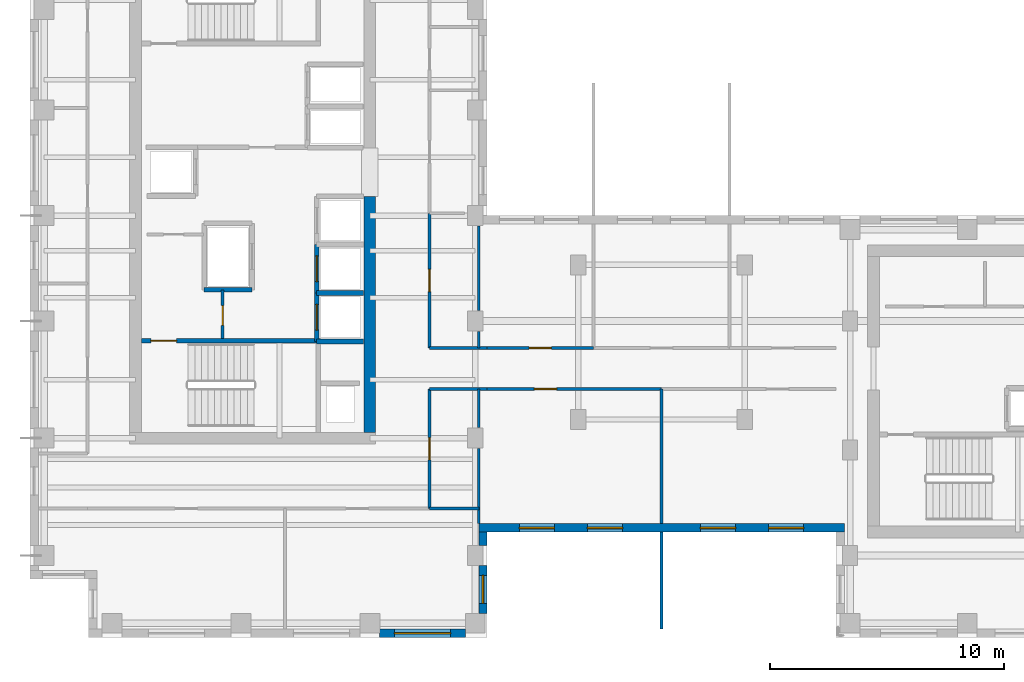
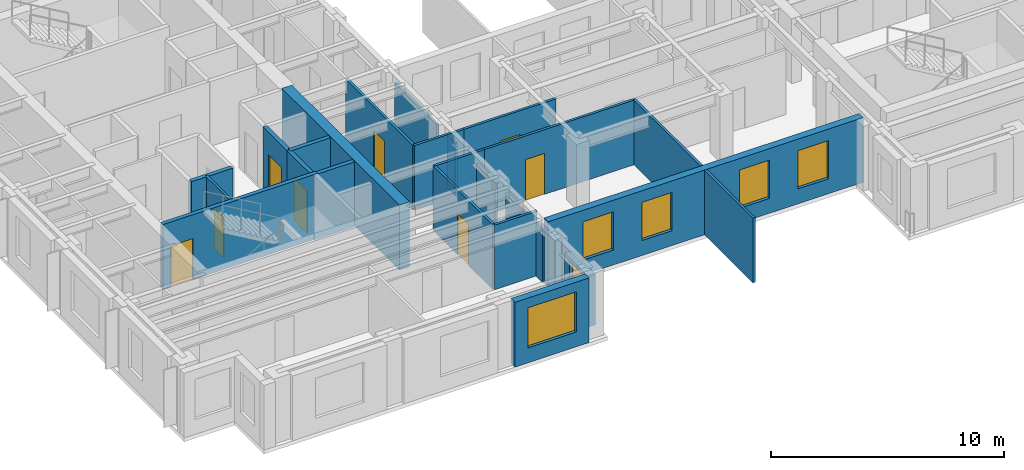
# One storey, part 3 of 10: 25 walls, 8 doors, 6 windows, 14 openings.
"""IFC4 building model written with IfcOpenShell, lengths in metres."""

from ifc_helpers import new_model, si_unit, direction, frame, frame_2d, origin, place, context, subcontext, project, spatial, rectangle, extrude, source, transform, mapped, material, layer, layer_set, type_object, element, fill, save


model = new_model("IFC4")

# Units and contexts
model_context = context("Model", 3, precision=1e-05, world=origin(), true_north=direction((0.0, 1.0)))
body_context = subcontext(model_context, "Body", "Model", "MODEL_VIEW")
ifc_project = project(units=[si_unit("LENGTHUNIT", "METRE"), si_unit("AREAUNIT", "SQUARE_METRE"), si_unit("VOLUMEUNIT", "CUBIC_METRE"), si_unit("PLANEANGLEUNIT", "RADIAN"), si_unit("MASSUNIT", "GRAM", prefix="KILO")], contexts=[model_context])

# Site, building, storey
site_placement = place(None, origin())
site = spatial("IfcSite", under=ifc_project, at=site_placement, CompositionType="ELEMENT")
building_placement = place(site_placement, origin())
building = spatial("IfcBuilding", under=site, at=building_placement, Name="Kharzan Plaza Tower", CompositionType="ELEMENT")
storey_placement = place(building_placement, frame((0.0, 0.0, 216.0)))
storey = spatial("IfcBuildingStorey", under=building, at=storey_placement, Name="L58", CompositionType="ELEMENT", Elevation=216.0)

# Wall, opening, window
ifc_material_1 = material(Name="Concrete C40/50", Category="concrete")
ifc_layer_1 = layer(ifc_material_1, 0.35009765625)
ifc_layer_set_1 = layer_set([ifc_layer_1], Name="Concrete C40/50")
wall_type_1 = type_object("IfcWallType", Name="WL-EXT-MAS-Z4", PredefinedType="SOLIDWALL", material=ifc_layer_set_1)
wall_1_placement = place(storey_placement, frame((14.923095703125, 0.175048828125, 0.0), z_axis=(0.0, 0.0, 1.0), x_axis=(1.0, 0.0, 0.0)))
wall_1 = element("IfcWall", 1, at=wall_1_placement, inside=storey, type_object=wall_type_1, Name="L58 Masonry-Frame Exterior Wall 23", PredefinedType="SOLIDWALL", context=body_context, shape_type="SweptSolid", body=[
    extrude(rectangle(XDim=3.65380859375, YDim=0.35009765625, at=frame_2d((1.826904296875, 0.0))), origin(), (0.0, 0.0, 1.0), 3.385009765625),
])
opening_1_placement = place(wall_1_placement, frame((0.626953125, 0.0, 0.780029296875)))
opening_1 = element("IfcOpeningElement", 2, at=opening_1_placement, cuts=wall_1, Name="Opening W2", PredefinedType="OPENING", context=body_context, shape_type="SweptSolid", body=[
    extrude(rectangle(XDim=2.39990234375, YDim=2.10009765625, at=frame_2d((1.199951171875, 1.050048828125))), frame((0.0, 0.18505859375, 0.0), z_axis=(0.0, -1.0, 0.0), x_axis=(1.0, 0.0, 0.0)), (0.0, 0.0, 1.0), 0.3701171875),
])
ifc_material_2 = material(Name="Low-E Double Glazing", Category="glass")
window_type_1 = type_object("IfcWindowType", Name="WN-REC-2400x2100", PartitioningType="SINGLE_PANEL", PredefinedType="WINDOW", material=ifc_material_2)
shared_shape_1 = source(origin(), body_context, "Body", "SweptSolid", [
    extrude(rectangle(XDim=2.39990234375, YDim=2.10009765625, at=frame_2d((1.199951171875, 1.050048828125))), frame((0.0, 0.030029296875, 0.0), z_axis=(0.0, -1.0, 0.0), x_axis=(1.0, 0.0, 0.0)), (0.0, 0.0, 1.0), 0.06005859375),
])
window_1_placement = place(opening_1_placement, origin())
window_1 = element("IfcWindow", 3, at=window_1_placement, inside=storey, type_object=window_type_1, Name="L58 Wide Recessed Solar-Control Window 23-1", OverallHeight=2.10009765625, OverallWidth=2.39990234375, PartitioningType="SINGLE_PANEL", PredefinedType="WINDOW", context=body_context, shape_type="MappedRepresentation", body=[
    mapped(shared_shape_1, transform((0.0, 0.0, 0.0), x_axis=(1.0, 0.0, 0.0), y_axis=(0.0, 1.0, 0.0), z_axis=(0.0, 0.0, 1.0))),
])
fill(opening_1, window_1)

wall_2_placement = place(storey_placement, frame((19.324951171875, 1.02294921875, 0.0), z_axis=(0.0, 0.0, 1.0), x_axis=(0.0, 1.0, 0.0)))
wall_2 = element("IfcWall", 4, at=wall_2_placement, inside=storey, type_object=wall_type_1, Name="L58 Masonry-Frame Exterior Wall 24", PredefinedType="SOLIDWALL", context=body_context, shape_type="SweptSolid", body=[
    extrude(rectangle(XDim=2.053955078125, YDim=0.35009765625, at=frame_2d((1.02685546875, 0.0))), origin(), (0.0, 0.0, 1.0), 2.618896484375),
])
opening_2_placement = place(wall_2_placement, frame((0.427001953125, 0.0, 0.780029296875)))
opening_2 = element("IfcOpeningElement", 5, at=opening_2_placement, cuts=wall_2, Name="Opening W3", PredefinedType="OPENING", context=body_context, shape_type="SweptSolid", body=[
    extrude(rectangle(XDim=1.199951171875, YDim=1.658935546875, at=frame_2d((0.60009765625, 0.82958984375))), frame((0.0, 0.18505859375, 0.0), z_axis=(0.0, -1.0, 0.0), x_axis=(1.0, 0.0, 0.0)), (0.0, 0.0, 1.0), 0.3701171875),
])
window_type_2 = type_object("IfcWindowType", Name="WN-REC-1200x2100", PartitioningType="SINGLE_PANEL", PredefinedType="WINDOW", material=ifc_material_2)
shared_shape_2 = source(origin(), body_context, "Body", "SweptSolid", [
    extrude(rectangle(XDim=1.199951171875, YDim=1.658935546875, at=frame_2d((0.60009765625, 0.82958984375))), frame((0.0, 0.030029296875, 0.0), z_axis=(0.0, -1.0, 0.0), x_axis=(1.0, 0.0, 0.0)), (0.0, 0.0, 1.0), 0.06005859375),
])
window_2_placement = place(opening_2_placement, origin())
window_2 = element("IfcWindow", 6, at=window_2_placement, inside=storey, type_object=window_type_2, Name="L58 Recessed Solar-Control Window 24-1", OverallHeight=1.658935546875, OverallWidth=1.199951171875, PartitioningType="SINGLE_PANEL", PredefinedType="WINDOW", context=body_context, shape_type="MappedRepresentation", body=[
    mapped(shared_shape_2, transform((0.0, 0.0, 0.0), x_axis=(1.0, 0.0, 0.0), y_axis=(0.0, 1.0, 0.0), z_axis=(0.0, 0.0, 1.0))),
])
fill(opening_2, window_2)

# Wall, openings, windows
wall_3_placement = place(storey_placement, frame((19.14990234375, 4.675048828125, 0.0), z_axis=(0.0, 0.0, 1.0), x_axis=(1.0, 0.0, 0.0)))
wall_3 = element("IfcWall", 7, at=wall_3_placement, inside=storey, type_object=wall_type_1, Name="L58 Masonry-Frame Exterior Wall 26", PredefinedType="SOLIDWALL", context=body_context, shape_type="SweptSolid", body=[
    extrude(rectangle(XDim=15.60009765625, YDim=0.35009765625, at=frame_2d((7.800048828125, 0.0))), origin(), (0.0, 0.0, 1.0), 3.385009765625),
])
opening_3_placement = place(wall_3_placement, frame((1.72998046875, 0.0, 0.780029296875)))
opening_3 = element("IfcOpeningElement", 8, at=opening_3_placement, cuts=wall_3, Name="Opening W5", PredefinedType="OPENING", context=body_context, shape_type="SweptSolid", body=[
    extrude(rectangle(XDim=1.5, YDim=2.0, at=frame_2d((0.75, 1.0))), frame((0.0, 0.18505859375, 0.0), z_axis=(0.0, -1.0, 0.0), x_axis=(1.0, 0.0, 0.0)), (0.0, 0.0, 1.0), 0.3701171875),
])
opening_4_placement = place(wall_3_placement, frame((4.639892578125, 0.0, 0.780029296875)))
opening_4 = element("IfcOpeningElement", 9, at=opening_4_placement, cuts=wall_3, Name="Opening W5", PredefinedType="OPENING", context=body_context, shape_type="SweptSolid", body=[
    extrude(rectangle(XDim=1.5, YDim=2.0, at=frame_2d((0.75, 1.0))), frame((0.0, 0.18505859375, 0.0), z_axis=(0.0, -1.0, 0.0), x_axis=(1.0, 0.0, 0.0)), (0.0, 0.0, 1.0), 0.3701171875),
])
opening_5_placement = place(wall_3_placement, frame((9.4599609375, 0.0, 0.780029296875)))
opening_5 = element("IfcOpeningElement", 10, at=opening_5_placement, cuts=wall_3, Name="Opening W5", PredefinedType="OPENING", context=body_context, shape_type="SweptSolid", body=[
    extrude(rectangle(XDim=1.5, YDim=2.0, at=frame_2d((0.75, 1.0))), frame((0.0, 0.18505859375, 0.0), z_axis=(0.0, -1.0, 0.0), x_axis=(1.0, 0.0, 0.0)), (0.0, 0.0, 1.0), 0.3701171875),
])
opening_6_placement = place(wall_3_placement, frame((12.3701171875, 0.0, 0.780029296875)))
opening_6 = element("IfcOpeningElement", 11, at=opening_6_placement, cuts=wall_3, Name="Opening W5", PredefinedType="OPENING", context=body_context, shape_type="SweptSolid", body=[
    extrude(rectangle(XDim=1.5, YDim=2.0, at=frame_2d((0.75, 1.0))), frame((0.0, 0.18505859375, 0.0), z_axis=(0.0, -1.0, 0.0), x_axis=(1.0, 0.0, 0.0)), (0.0, 0.0, 1.0), 0.3701171875),
])
window_type_3 = type_object("IfcWindowType", Name="WN-SLT-1500x2000", PartitioningType="SINGLE_PANEL", PredefinedType="WINDOW", material=ifc_material_2)
shared_shape_3 = source(origin(), body_context, "Body", "SweptSolid", [
    extrude(rectangle(XDim=1.5, YDim=2.0, at=frame_2d((0.75, 1.0))), frame((0.0, 0.030029296875, 0.0), z_axis=(0.0, -1.0, 0.0), x_axis=(1.0, 0.0, 0.0)), (0.0, 0.0, 1.0), 0.06005859375),
])
window_3_placement = place(opening_3_placement, origin())
window_3 = element("IfcWindow", 12, at=window_3_placement, inside=storey, type_object=window_type_3, Name="L58 Recessed Solar-Control Window 26-1", OverallHeight=2.0, OverallWidth=1.5, PartitioningType="SINGLE_PANEL", PredefinedType="WINDOW", context=body_context, shape_type="MappedRepresentation", body=[
    mapped(shared_shape_3, transform((0.0, 0.0, 0.0), x_axis=(1.0, 0.0, 0.0), y_axis=(0.0, 1.0, 0.0), z_axis=(0.0, 0.0, 1.0))),
])
fill(opening_3, window_3)
window_4_placement = place(opening_4_placement, origin())
window_4 = element("IfcWindow", 13, at=window_4_placement, inside=storey, type_object=window_type_3, Name="L58 Recessed Solar-Control Window 26-2", OverallHeight=2.0, OverallWidth=1.5, PartitioningType="SINGLE_PANEL", PredefinedType="WINDOW", context=body_context, shape_type="MappedRepresentation", body=[
    mapped(shared_shape_3, transform((0.0, 0.0, 0.0), x_axis=(1.0, 0.0, 0.0), y_axis=(0.0, 1.0, 0.0), z_axis=(0.0, 0.0, 1.0))),
])
fill(opening_4, window_4)
window_5_placement = place(opening_5_placement, origin())
window_5 = element("IfcWindow", 14, at=window_5_placement, inside=storey, type_object=window_type_3, Name="L58 Recessed Solar-Control Window 26-3", OverallHeight=2.0, OverallWidth=1.5, PartitioningType="SINGLE_PANEL", PredefinedType="WINDOW", context=body_context, shape_type="MappedRepresentation", body=[
    mapped(shared_shape_3, transform((0.0, 0.0, 0.0), x_axis=(1.0, 0.0, 0.0), y_axis=(0.0, 1.0, 0.0), z_axis=(0.0, 0.0, 1.0))),
])
fill(opening_5, window_5)
window_6_placement = place(opening_6_placement, origin())
window_6 = element("IfcWindow", 15, at=window_6_placement, inside=storey, type_object=window_type_3, Name="L58 Recessed Solar-Control Window 26-4", OverallHeight=2.0, OverallWidth=1.5, PartitioningType="SINGLE_PANEL", PredefinedType="WINDOW", context=body_context, shape_type="MappedRepresentation", body=[
    mapped(shared_shape_3, transform((0.0, 0.0, 0.0), x_axis=(1.0, 0.0, 0.0), y_axis=(0.0, 1.0, 0.0), z_axis=(0.0, 0.0, 1.0))),
])
fill(opening_6, window_6)

# Wall, opening, door
ifc_material_3 = material(Name="Fire-Rated Gypsum Board Partition", Category="gypsum")
ifc_layer_2 = layer(ifc_material_3, 0.125)
ifc_layer_set_2 = layer_set([ifc_layer_2], Name="Fire-Rated Gypsum Board Partition")
wall_type_2 = type_object("IfcWallType", Name="WL-INT-PART-125", PredefinedType="PARTITIONING", material=ifc_layer_set_2)
wall_4_placement = place(storey_placement, frame((8.219970703125, 12.75, 0.0), z_axis=(0.0, 0.0, 1.0), x_axis=(0.0, 1.0, 0.0)))
wall_4 = element("IfcWall", 16, at=wall_4_placement, inside=storey, type_object=wall_type_2, Name="L58 Interior Partition CA-K1E", PredefinedType="PARTITIONING", context=body_context, shape_type="SweptSolid", body=[
    extrude(rectangle(XDim=2.070068359375, YDim=0.125, at=frame_2d((1.03515625, 0.0))), origin(), (0.0, 0.0, 1.0), 3.385009765625),
])
opening_7_placement = place(wall_4_placement, frame((0.56005859375, 0.0, 0.0)))
opening_7 = element("IfcOpeningElement", 17, at=opening_7_placement, cuts=wall_4, Name="Opening RD1", PredefinedType="OPENING", context=body_context, shape_type="SweptSolid", body=[
    extrude(rectangle(XDim=0.85009765625, YDim=2.10009765625, at=frame_2d((0.425048828125, 1.050048828125))), frame((0.0, 0.072509765625, 0.0), z_axis=(0.0, -1.0, 0.0), x_axis=(1.0, 0.0, 0.0)), (0.0, 0.0, 1.0), 0.14501953125),
])
ifc_material_4 = material(Name="Powder-Coated Fire-Rated Steel", Category="steel")
door_type_1 = type_object("IfcDoorType", Name="DR-RISER-900", OperationType="NOTDEFINED", PredefinedType="DOOR", material=ifc_material_4)
shared_shape_4 = source(origin(), body_context, "Body", "SweptSolid", [
    extrude(rectangle(XDim=0.85009765625, YDim=2.10009765625, at=frame_2d((0.425048828125, 1.050048828125))), frame((0.0, 0.02490234375, 0.0), z_axis=(0.0, -1.0, 0.0), x_axis=(1.0, 0.0, 0.0)), (0.0, 0.0, 1.0), 0.050048828125),
])
door_1_placement = place(opening_7_placement, origin())
door_1 = element("IfcDoor", 18, at=door_1_placement, inside=storey, type_object=door_type_1, Name="L58 Core Service Store Door", OperationType="SINGLE_SWING_RIGHT", OverallHeight=2.10009765625, OverallWidth=0.85009765625, PredefinedType="DOOR", context=body_context, shape_type="MappedRepresentation", body=[
    mapped(shared_shape_4, transform((0.0, 0.0, 0.0), x_axis=(1.0, 0.0, 0.0), y_axis=(0.0, 1.0, 0.0), z_axis=(0.0, 0.0, 1.0))),
])
fill(opening_7, door_1)

wall_5_placement = place(storey_placement, frame((17.050048828125, 12.35009765625, 0.0), z_axis=(0.0, 0.0, 1.0), x_axis=(0.0, 1.0, 0.0)))
wall_5 = element("IfcWall", 19, at=wall_5_placement, inside=storey, type_object=wall_type_2, Name="L58 Interior Partition SH-AEWN1", PredefinedType="PARTITIONING", context=body_context, shape_type="SweptSolid", body=[
    extrude(rectangle(XDim=5.75, YDim=0.125, at=frame_2d((2.875, 0.0))), origin(), (0.0, 0.0, 1.0), 3.385009765625),
])
opening_8_placement = place(wall_5_placement, frame((2.39990234375, 0.0, 0.0)))
opening_8 = element("IfcOpeningElement", 20, at=opening_8_placement, cuts=wall_5, Name="Opening OD1", PredefinedType="OPENING", context=body_context, shape_type="SweptSolid", body=[
    extrude(rectangle(XDim=0.949951171875, YDim=2.14990234375, at=frame_2d((0.47509765625, 1.074951171875))), frame((0.0, 0.072509765625, 0.0), z_axis=(0.0, -1.0, 0.0), x_axis=(1.0, 0.0, 0.0)), (0.0, 0.0, 1.0), 0.14501953125),
])
ifc_material_5 = material(Name="Acoustic Solid-Core Stained Oak", Category="timber")
door_type_2 = type_object("IfcDoorType", Name="DR-OFF-SINGLE", OperationType="NOTDEFINED", PredefinedType="DOOR", material=ifc_material_5)
shared_shape_5 = source(origin(), body_context, "Body", "SweptSolid", [
    extrude(rectangle(XDim=0.949951171875, YDim=2.14990234375, at=frame_2d((0.47509765625, 1.074951171875))), frame((0.0, 0.02490234375, 0.0), z_axis=(0.0, -1.0, 0.0), x_axis=(1.0, 0.0, 0.0)), (0.0, 0.0, 1.0), 0.050048828125),
])
door_2_placement = place(opening_8_placement, origin())
door_2 = element("IfcDoor", 21, at=door_2_placement, inside=storey, type_object=door_type_2, Name="L58 Slot Collaboration Door", OperationType="SINGLE_SWING_LEFT", OverallHeight=2.14990234375, OverallWidth=0.949951171875, PredefinedType="DOOR", context=body_context, shape_type="MappedRepresentation", body=[
    mapped(shared_shape_5, transform((0.0, 0.0, 0.0), x_axis=(1.0, 0.0, 0.0), y_axis=(0.0, 1.0, 0.0), z_axis=(0.0, 0.0, 1.0))),
])
fill(opening_8, door_2)

wall_6_placement = place(storey_placement, frame((17.050048828125, 5.5, 0.0), z_axis=(0.0, 0.0, 1.0), x_axis=(0.0, 1.0, 0.0)))
wall_6 = element("IfcWall", 22, at=wall_6_placement, inside=storey, type_object=wall_type_2, Name="L58 Interior Partition SH-AEWS", PredefinedType="PARTITIONING", context=body_context, shape_type="SweptSolid", body=[
    extrude(rectangle(XDim=5.10009765625, YDim=0.125, at=frame_2d((2.550048828125, 0.0))), origin(), (0.0, 0.0, 1.0), 3.385009765625),
])
opening_9_placement = place(wall_6_placement, frame((2.074951171875, 0.0, 0.0)))
opening_9 = element("IfcOpeningElement", 23, at=opening_9_placement, cuts=wall_6, Name="Opening OD1", PredefinedType="OPENING", context=body_context, shape_type="SweptSolid", body=[
    extrude(rectangle(XDim=0.949951171875, YDim=2.14990234375, at=frame_2d((0.47509765625, 1.074951171875))), frame((0.0, 0.072509765625, 0.0), z_axis=(0.0, -1.0, 0.0), x_axis=(1.0, 0.0, 0.0)), (0.0, 0.0, 1.0), 0.14501953125),
])
door_3_placement = place(opening_9_placement, origin())
door_3 = element("IfcDoor", 24, at=door_3_placement, inside=storey, type_object=door_type_2, Name="L58 Slot South Office Door", OperationType="SINGLE_SWING_RIGHT", OverallHeight=2.14990234375, OverallWidth=0.949951171875, PredefinedType="DOOR", context=body_context, shape_type="MappedRepresentation", body=[
    mapped(shared_shape_5, transform((0.0, 0.0, 0.0), x_axis=(1.0, 0.0, 0.0), y_axis=(0.0, 1.0, 0.0), z_axis=(0.0, 0.0, 1.0))),
])
fill(opening_9, door_3)

wall_7_placement = place(storey_placement, frame((19.5, 12.35009765625, 0.0), z_axis=(0.0, 0.0, 1.0), x_axis=(1.0, 0.0, 0.0)))
wall_7 = element("IfcWall", 25, at=wall_7_placement, inside=storey, type_object=wall_type_2, Name="L58 Interior Partition SH-SPNW1", PredefinedType="PARTITIONING", context=body_context, shape_type="SweptSolid", body=[
    extrude(rectangle(XDim=4.550048828125, YDim=0.125, at=frame_2d((2.27490234375, 0.0))), origin(), (0.0, 0.0, 1.0), 3.385009765625),
])
opening_10_placement = place(wall_7_placement, frame((1.800048828125, 0.0, 0.0)))
opening_10 = element("IfcOpeningElement", 26, at=opening_10_placement, cuts=wall_7, Name="Opening OD1", PredefinedType="OPENING", context=body_context, shape_type="SweptSolid", body=[
    extrude(rectangle(XDim=0.949951171875, YDim=2.14990234375, at=frame_2d((0.47509765625, 1.074951171875))), frame((0.0, 0.072509765625, 0.0), z_axis=(0.0, -1.0, 0.0), x_axis=(1.0, 0.0, 0.0)), (0.0, 0.0, 1.0), 0.14501953125),
])
door_4_placement = place(opening_10_placement, origin())
door_4 = element("IfcDoor", 27, at=door_4_placement, inside=storey, type_object=door_type_2, Name="L58 North-West Spine Door", OperationType="SINGLE_SWING_LEFT", OverallHeight=2.14990234375, OverallWidth=0.949951171875, PredefinedType="DOOR", context=body_context, shape_type="MappedRepresentation", body=[
    mapped(shared_shape_5, transform((0.0, 0.0, 0.0), x_axis=(1.0, 0.0, 0.0), y_axis=(0.0, 1.0, 0.0), z_axis=(0.0, 0.0, 1.0))),
])
fill(opening_10, door_4)

wall_8_placement = place(storey_placement, frame((19.5, 10.60009765625, 0.0), z_axis=(0.0, 0.0, 1.0), x_axis=(1.0, 0.0, 0.0)))
wall_8 = element("IfcWall", 28, at=wall_8_placement, inside=storey, type_object=wall_type_2, Name="L58 Interior Partition SH-SPS1", PredefinedType="PARTITIONING", context=body_context, shape_type="SweptSolid", body=[
    extrude(rectangle(XDim=7.449951171875, YDim=0.125, at=frame_2d((3.72509765625, 0.0))), origin(), (0.0, 0.0, 1.0), 3.385009765625),
])
opening_11_placement = place(wall_8_placement, frame((2.02197265625, 0.0, 0.0)))
opening_11 = element("IfcOpeningElement", 29, at=opening_11_placement, cuts=wall_8, Name="Opening OD1", PredefinedType="OPENING", context=body_context, shape_type="SweptSolid", body=[
    extrude(rectangle(XDim=0.949951171875, YDim=2.14990234375, at=frame_2d((0.47509765625, 1.074951171875))), frame((0.0, 0.072509765625, 0.0), z_axis=(0.0, -1.0, 0.0), x_axis=(1.0, 0.0, 0.0)), (0.0, 0.0, 1.0), 0.14501953125),
])
door_5_placement = place(opening_11_placement, origin())
door_5 = element("IfcDoor", 30, at=door_5_placement, inside=storey, type_object=door_type_2, Name="L58 South Spine West Door", OperationType="SINGLE_SWING_LEFT", OverallHeight=2.14990234375, OverallWidth=0.949951171875, PredefinedType="DOOR", context=body_context, shape_type="MappedRepresentation", body=[
    mapped(shared_shape_5, transform((0.0, 0.0, 0.0), x_axis=(1.0, 0.0, 0.0), y_axis=(0.0, 1.0, 0.0), z_axis=(0.0, 0.0, 1.0))),
])
fill(opening_11, door_5)

ifc_layer_3 = layer(ifc_material_1, 0.199951171875)
ifc_layer_set_3 = layer_set([ifc_layer_3], Name="Concrete C40/50")
wall_type_3 = type_object("IfcWallType", Name="WL-INT-SHAFT-200", PredefinedType="PARTITIONING", material=ifc_layer_set_3)
wall_9_placement = place(storey_placement, frame((12.22998046875, 12.6298828125, 0.0), z_axis=(0.0, 0.0, 1.0), x_axis=(0.0, 1.0, 0.0)))
wall_9 = element("IfcWall", 31, at=wall_9_placement, inside=storey, type_object=wall_type_3, Name="L58 Interior Partition SHF-PL-H1-W", PredefinedType="PARTITIONING", context=body_context, shape_type="SweptSolid", body=[
    extrude(rectangle(XDim=2.070068359375, YDim=0.199951171875, at=frame_2d((1.03515625, 0.0))), origin(), (0.0, 0.0, 1.0), 3.385009765625),
])
opening_12_placement = place(wall_9_placement, frame((0.485107421875, 0.0, 0.0)))
opening_12 = element("IfcOpeningElement", 32, at=opening_12_placement, cuts=wall_9, Name="Opening LD", PredefinedType="OPENING", context=body_context, shape_type="SweptSolid", body=[
    extrude(rectangle(XDim=1.10009765625, YDim=2.199951171875, at=frame_2d((0.550048828125, 1.10009765625))), frame((0.0, 0.10986328125, 0.0), z_axis=(0.0, -1.0, 0.0), x_axis=(1.0, 0.0, 0.0)), (0.0, 0.0, 1.0), 0.219970703125),
])
ifc_material_6 = material(Name="Brushed Stainless Steel", Category="steel")
door_type_3 = type_object("IfcDoorType", Name="DR-LIFT-SLIDE", OperationType="SLIDING_TO_LEFT", PredefinedType="DOOR", material=ifc_material_6)
shared_shape_6 = source(origin(), body_context, "Body", "SweptSolid", [
    extrude(rectangle(XDim=1.10009765625, YDim=2.199951171875, at=frame_2d((0.550048828125, 1.10009765625))), frame((0.0, 0.02490234375, 0.0), z_axis=(0.0, -1.0, 0.0), x_axis=(1.0, 0.0, 0.0)), (0.0, 0.0, 1.0), 0.050048828125),
])
door_6_placement = place(opening_12_placement, origin())
door_6 = element("IfcDoor", 33, at=door_6_placement, inside=storey, type_object=door_type_3, Name="L58 High-Rise Passenger Lift PL-H1 Sliding Landing Door", OperationType="SLIDING_TO_LEFT", OverallHeight=2.199951171875, OverallWidth=1.10009765625, PredefinedType="DOOR", context=body_context, shape_type="MappedRepresentation", body=[
    mapped(shared_shape_6, transform((0.0, 0.0, 0.0), x_axis=(1.0, 0.0, 0.0), y_axis=(0.0, 1.0, 0.0), z_axis=(0.0, 0.0, 1.0))),
])
fill(opening_12, door_6)

wall_10_placement = place(storey_placement, frame((12.22998046875, 14.699951171875, 0.0), z_axis=(0.0, 0.0, 1.0), x_axis=(0.0, 1.0, 0.0)))
wall_10 = element("IfcWall", 34, at=wall_10_placement, inside=storey, type_object=wall_type_3, Name="L58 Interior Partition SHF-PL-H2-W", PredefinedType="PARTITIONING", context=body_context, shape_type="SweptSolid", body=[
    extrude(rectangle(XDim=2.070068359375, YDim=0.199951171875, at=frame_2d((1.03515625, 0.0))), origin(), (0.0, 0.0, 1.0), 3.385009765625),
])
opening_13_placement = place(wall_10_placement, frame((0.485107421875, 0.0, 0.0)))
opening_13 = element("IfcOpeningElement", 35, at=opening_13_placement, cuts=wall_10, Name="Opening LD", PredefinedType="OPENING", context=body_context, shape_type="SweptSolid", body=[
    extrude(rectangle(XDim=1.10009765625, YDim=2.199951171875, at=frame_2d((0.550048828125, 1.10009765625))), frame((0.0, 0.10986328125, 0.0), z_axis=(0.0, -1.0, 0.0), x_axis=(1.0, 0.0, 0.0)), (0.0, 0.0, 1.0), 0.219970703125),
])
door_7_placement = place(opening_13_placement, origin())
door_7 = element("IfcDoor", 36, at=door_7_placement, inside=storey, type_object=door_type_3, Name="L58 High-Rise Passenger Lift PL-H2 Sliding Landing Door", OperationType="SLIDING_TO_LEFT", OverallHeight=2.199951171875, OverallWidth=1.10009765625, PredefinedType="DOOR", context=body_context, shape_type="MappedRepresentation", body=[
    mapped(shared_shape_6, transform((0.0, 0.0, 0.0), x_axis=(1.0, 0.0, 0.0), y_axis=(0.0, 1.0, 0.0), z_axis=(0.0, 0.0, 1.0))),
])
fill(opening_13, door_7)

ifc_material_7 = material(Name="Concrete C50/60", Category="concrete")
ifc_layer_4 = layer(ifc_material_7, 0.199951171875)
ifc_layer_set_4 = layer_set([ifc_layer_4], Name="Concrete C50/60")
wall_type_4 = type_object("IfcWallType", Name="WL-SHAFT-RC200", PredefinedType="SHEAR", material=ifc_layer_set_4)
wall_11_placement = place(storey_placement, frame((4.751953125, 12.655029296875, 0.0), z_axis=(0.0, 0.0, 1.0), x_axis=(1.0, 0.0, 0.0)))
wall_11 = element("IfcWall", 37, at=wall_11_placement, inside=storey, type_object=wall_type_4, Name="L58 Stair ST-1 North RC Shaft Wall", PredefinedType="SHEAR", context=body_context, shape_type="SweptSolid", body=[
    extrude(rectangle(XDim=7.653076171875, YDim=0.199951171875, at=frame_2d((3.82666015625, 0.0))), origin(), (0.0, 0.0, 1.0), 3.39990234375),
])
opening_14_placement = place(wall_11_placement, frame((0.39990234375, 0.0, 0.0)))
opening_14 = element("IfcOpeningElement", 38, at=opening_14_placement, cuts=wall_11, Name="Opening SD1", PredefinedType="OPENING", context=body_context, shape_type="SweptSolid", body=[
    extrude(rectangle(XDim=1.10009765625, YDim=2.14990234375, at=frame_2d((0.550048828125, 1.074951171875))), frame((0.0, 0.10986328125, 0.0), z_axis=(0.0, -1.0, 0.0), x_axis=(1.0, 0.0, 0.0)), (0.0, 0.0, 1.0), 0.219970703125),
])
ifc_material_8 = material(Name="Fire-Rated Hollow Galvanized Steel", Category="steel")
door_type_4 = type_object("IfcDoorType", Name="DR-STAIR-FD120", OperationType="NOTDEFINED", PredefinedType="DOOR", material=ifc_material_8)
shared_shape_7 = source(origin(), body_context, "Body", "SweptSolid", [
    extrude(rectangle(XDim=1.10009765625, YDim=2.14990234375, at=frame_2d((0.550048828125, 1.074951171875))), frame((0.0, 0.02490234375, 0.0), z_axis=(0.0, -1.0, 0.0), x_axis=(1.0, 0.0, 0.0)), (0.0, 0.0, 1.0), 0.050048828125),
])
door_8_placement = place(opening_14_placement, origin())
door_8 = element("IfcDoor", 39, at=door_8_placement, inside=storey, type_object=door_type_4, Name="L58 Stair ST-1 Fire Exit Door", OperationType="SINGLE_SWING_RIGHT", OverallHeight=2.14990234375, OverallWidth=1.10009765625, PredefinedType="DOOR", context=body_context, shape_type="MappedRepresentation", body=[
    mapped(shared_shape_7, transform((0.0, 0.0, 0.0), x_axis=(1.0, 0.0, 0.0), y_axis=(0.0, 1.0, 0.0), z_axis=(0.0, 0.0, 1.0))),
])
fill(opening_14, door_8)

# Walls
shared_shape_8 = source(origin(), body_context, "Body", "SweptSolid", [
    extrude(rectangle(XDim=2.099853515625, YDim=0.125, at=frame_2d((1.0498046875, 0.0))), origin(), (0.0, 0.0, 1.0), 3.385009765625),
])
wall_12_placement = place(storey_placement, frame((17.050048828125, 5.5, 0.0), z_axis=(0.0, 0.0, 1.0), x_axis=(1.0, 0.0, 0.0)))
element("IfcWall", 40, at=wall_12_placement, inside=storey, type_object=wall_type_2, Name="L58 Interior Partition SH-SSE-2", PredefinedType="PARTITIONING", context=body_context, shape_type="MappedRepresentation", body=[
    mapped(shared_shape_8, transform((0.0, 0.0, 0.0), x_axis=(1.0, 0.0, 0.0), y_axis=(0.0, 1.0, 0.0), z_axis=(0.0, 0.0, 1.0))),
])
shared_shape_9 = source(origin(), body_context, "Body", "SweptSolid", [
    extrude(rectangle(XDim=2.449951171875, YDim=0.125, at=frame_2d((1.22509765625, 0.0))), origin(), (0.0, 0.0, 1.0), 3.385009765625),
])
for number, where, z_axis, x_axis, name in (
    (41, (17.050048828125, 12.35009765625, 0.0), (0.0, 0.0, 1.0), (1.0, 0.0, 0.0), "L58 Interior Partition SH-SPNW0"),
    (42, (17.050048828125, 10.60009765625, 0.0), (0.0, 0.0, 1.0), (1.0, 0.0, 0.0), "L58 Interior Partition SH-SPS0"),
):
    element("IfcWall", number, at=place(storey_placement, frame(where, z_axis=z_axis, x_axis=x_axis)), inside=storey, type_object=wall_type_2, Name=name, PredefinedType="PARTITIONING", context=body_context, shape_type="MappedRepresentation", body=[
        mapped(shared_shape_9, transform((0.0, 0.0, 0.0), x_axis=(1.0, 0.0, 0.0), y_axis=(0.0, 1.0, 0.0), z_axis=(0.0, 0.0, 1.0))),
    ])
shared_shape_10 = source(origin(), body_context, "Body", "SweptSolid", [
    extrude(rectangle(XDim=2.0400390625, YDim=0.199951171875, at=frame_2d((1.02001953125, 0.0))), origin(), (0.0, 0.0, 1.0), 3.385009765625),
])
wall_13_placement = place(storey_placement, frame((7.429931640625, 14.830078125, 0.0), z_axis=(0.0, 0.0, 1.0), x_axis=(1.0, 0.0, 0.0)))
element("IfcWall", 43, at=wall_13_placement, inside=storey, type_object=wall_type_3, Name="L58 Interior Partition SHF-SVL-1-S", PredefinedType="PARTITIONING", context=body_context, shape_type="MappedRepresentation", body=[
    mapped(shared_shape_10, transform((0.0, 0.0, 0.0), x_axis=(1.0, 0.0, 0.0), y_axis=(0.0, 1.0, 0.0), z_axis=(0.0, 0.0, 1.0))),
])
shared_shape_11 = source(origin(), body_context, "Body", "SweptSolid", [
    extrude(rectangle(XDim=4.14794921875, YDim=0.125, at=frame_2d((2.073974609375, 0.0))), origin(), (0.0, 0.0, 1.0), 3.385009765625),
])
wall_14_placement = place(storey_placement, frame((26.949951171875, 0.35009765625, 0.0), z_axis=(0.0, 0.0, 1.0), x_axis=(0.0, 1.0, 0.0)))
element("IfcWall", 44, at=wall_14_placement, inside=storey, type_object=wall_type_2, Name="L58 Interior Partition SH-SPSV1-S1", PredefinedType="PARTITIONING", context=body_context, shape_type="MappedRepresentation", body=[
    mapped(shared_shape_11, transform((0.0, 0.0, 0.0), x_axis=(1.0, 0.0, 0.0), y_axis=(0.0, 1.0, 0.0), z_axis=(0.0, 0.0, 1.0))),
])
shared_shape_12 = source(origin(), body_context, "Body", "SweptSolid", [
    extrude(rectangle(XDim=5.748046875, YDim=0.125, at=frame_2d((2.8740234375, 0.0))), origin(), (0.0, 0.0, 1.0), 3.385009765625),
])
wall_15_placement = place(storey_placement, frame((26.949951171875, 4.85205078125, 0.0), z_axis=(0.0, 0.0, 1.0), x_axis=(0.0, 1.0, 0.0)))
element("IfcWall", 45, at=wall_15_placement, inside=storey, type_object=wall_type_2, Name="L58 Interior Partition SH-SPSV1-S2", PredefinedType="PARTITIONING", context=body_context, shape_type="MappedRepresentation", body=[
    mapped(shared_shape_12, transform((0.0, 0.0, 0.0), x_axis=(1.0, 0.0, 0.0), y_axis=(0.0, 1.0, 0.0), z_axis=(0.0, 0.0, 1.0))),
])
shared_shape_13 = source(origin(), body_context, "Body", "SweptSolid", [
    extrude(rectangle(XDim=1.989990234375, YDim=0.199951171875, at=frame_2d((0.9951171875, 0.0))), origin(), (0.0, 0.0, 1.0), 3.385009765625),
])
for number, where, z_axis, x_axis, name in (
    (46, (12.22998046875, 14.699951171875, 0.0), (0.0, 0.0, 1.0), (1.0, 0.0, 0.0), "L58 Interior Partition SHF-PL-H1-N"),
    (47, (12.22998046875, 12.6298828125, 0.0), (0.0, 0.0, 1.0), (1.0, 0.0, 0.0), "L58 Interior Partition SHF-PL-H1-S"),
):
    element("IfcWall", number, at=place(storey_placement, frame(where, z_axis=z_axis, x_axis=x_axis)), inside=storey, type_object=wall_type_3, Name=name, PredefinedType="PARTITIONING", context=body_context, shape_type="MappedRepresentation", body=[
        mapped(shared_shape_13, transform((0.0, 0.0, 0.0), x_axis=(1.0, 0.0, 0.0), y_axis=(0.0, 1.0, 0.0), z_axis=(0.0, 0.0, 1.0))),
    ])
ifc_layer_5 = layer(ifc_material_7, 0.5)
ifc_layer_set_5 = layer_set([ifc_layer_5], Name="Concrete C50/60")
wall_type_5 = type_object("IfcWallType", Name="WL-CORE-500", PredefinedType="SHEAR", material=ifc_layer_set_5)
shared_shape_14 = source(origin(), body_context, "Body", "SweptSolid", [
    extrude(rectangle(XDim=10.070068359375, YDim=0.5, at=frame_2d((5.03515625, 0.0))), origin(), (0.0, 0.0, 1.0), 3.39990234375),
])
wall_16_placement = place(storey_placement, frame((14.5, 8.75, 0.0), z_axis=(0.0, 0.0, 1.0), x_axis=(0.0, 1.0, 0.0)))
element("IfcWall", 48, at=wall_16_placement, inside=storey, type_object=wall_type_5, Name="L58 CORE-A east shear pier 1", PredefinedType="SHEAR", context=body_context, shape_type="MappedRepresentation", body=[
    mapped(shared_shape_14, transform((0.0, 0.0, 0.0), x_axis=(1.0, 0.0, 0.0), y_axis=(0.0, 1.0, 0.0), z_axis=(0.0, 0.0, 1.0))),
])
shared_shape_15 = source(origin(), body_context, "Body", "SweptSolid", [
    extrude(rectangle(XDim=0.578857421875, YDim=0.35009765625, at=frame_2d((0.28955078125, 0.0))), origin(), (0.0, 0.0, 1.0), 2.77294921875),
])
wall_17_placement = place(storey_placement, frame((19.324951171875, 3.923095703125, 0.0), z_axis=(0.0, 0.0, 1.0), x_axis=(0.0, 1.0, 0.0)))
element("IfcWall", 49, at=wall_17_placement, inside=storey, type_object=wall_type_1, Name="L58 Masonry-Frame Exterior Wall 25", PredefinedType="SOLIDWALL", context=body_context, shape_type="MappedRepresentation", body=[
    mapped(shared_shape_15, transform((0.0, 0.0, 0.0), x_axis=(1.0, 0.0, 0.0), y_axis=(0.0, 1.0, 0.0), z_axis=(0.0, 0.0, 1.0))),
])
shared_shape_16 = source(origin(), body_context, "Body", "SweptSolid", [
    extrude(rectangle(XDim=0.699951171875, YDim=0.125, at=frame_2d((0.35009765625, 0.0))), origin(), (0.0, 0.0, 1.0), 2.77294921875),
])
wall_18_placement = place(storey_placement, frame((19.14990234375, 12.35009765625, 0.0), z_axis=(0.0, 0.0, 1.0), x_axis=(0.0, 1.0, 0.0)))
element("IfcWall", 50, at=wall_18_placement, inside=storey, type_object=wall_type_2, Name="L58 Interior Partition SH-AEN-DIV-S1", PredefinedType="PARTITIONING", context=body_context, shape_type="MappedRepresentation", body=[
    mapped(shared_shape_16, transform((0.0, 0.0, 0.0), x_axis=(1.0, 0.0, 0.0), y_axis=(0.0, 1.0, 0.0), z_axis=(0.0, 0.0, 1.0))),
])
shared_shape_17 = source(origin(), body_context, "Body", "SweptSolid", [
    extrude(rectangle(XDim=3.60009765625, YDim=0.125, at=frame_2d((1.800048828125, 0.0))), origin(), (0.0, 0.0, 1.0), 2.77294921875),
])
wall_19_placement = place(storey_placement, frame((19.14990234375, 13.949951171875, 0.0), z_axis=(0.0, 0.0, 1.0), x_axis=(0.0, 1.0, 0.0)))
element("IfcWall", 51, at=wall_19_placement, inside=storey, type_object=wall_type_2, Name="L58 Interior Partition SH-AEN-DIV-S2", PredefinedType="PARTITIONING", context=body_context, shape_type="MappedRepresentation", body=[
    mapped(shared_shape_17, transform((0.0, 0.0, 0.0), x_axis=(1.0, 0.0, 0.0), y_axis=(0.0, 1.0, 0.0), z_axis=(0.0, 0.0, 1.0))),
])
shared_shape_18 = source(origin(), body_context, "Body", "SweptSolid", [
    extrude(rectangle(XDim=3.197998046875, YDim=0.125, at=frame_2d((1.59912109375, 0.0))), origin(), (0.0, 0.0, 1.0), 2.77294921875),
])
wall_20_placement = place(storey_placement, frame((19.14990234375, 4.85205078125, 0.0), z_axis=(0.0, 0.0, 1.0), x_axis=(0.0, 1.0, 0.0)))
element("IfcWall", 52, at=wall_20_placement, inside=storey, type_object=wall_type_2, Name="L58 Interior Partition SH-AESP-DIV-S1", PredefinedType="PARTITIONING", context=body_context, shape_type="MappedRepresentation", body=[
    mapped(shared_shape_18, transform((0.0, 0.0, 0.0), x_axis=(1.0, 0.0, 0.0), y_axis=(0.0, 1.0, 0.0), z_axis=(0.0, 0.0, 1.0))),
])
shared_shape_19 = source(origin(), body_context, "Body", "SweptSolid", [
    extrude(rectangle(XDim=1.650146484375, YDim=0.125, at=frame_2d((0.8251953125, 0.0))), origin(), (0.0, 0.0, 1.0), 2.77294921875),
])
wall_21_placement = place(storey_placement, frame((19.14990234375, 8.949951171875, 0.0), z_axis=(0.0, 0.0, 1.0), x_axis=(0.0, 1.0, 0.0)))
element("IfcWall", 53, at=wall_21_placement, inside=storey, type_object=wall_type_2, Name="L58 Interior Partition SH-AESP-DIV-S2", PredefinedType="PARTITIONING", context=body_context, shape_type="MappedRepresentation", body=[
    mapped(shared_shape_19, transform((0.0, 0.0, 0.0), x_axis=(1.0, 0.0, 0.0), y_axis=(0.0, 1.0, 0.0), z_axis=(0.0, 0.0, 1.0))),
])

save(model, "model.ifc")
